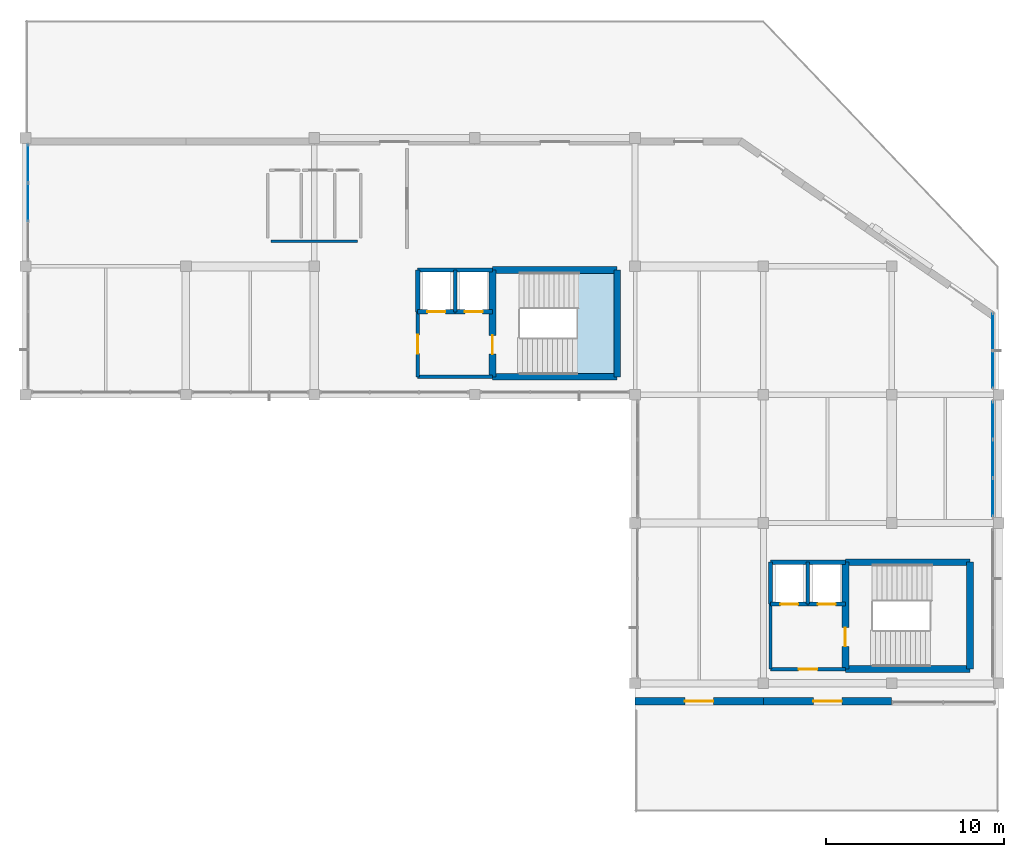
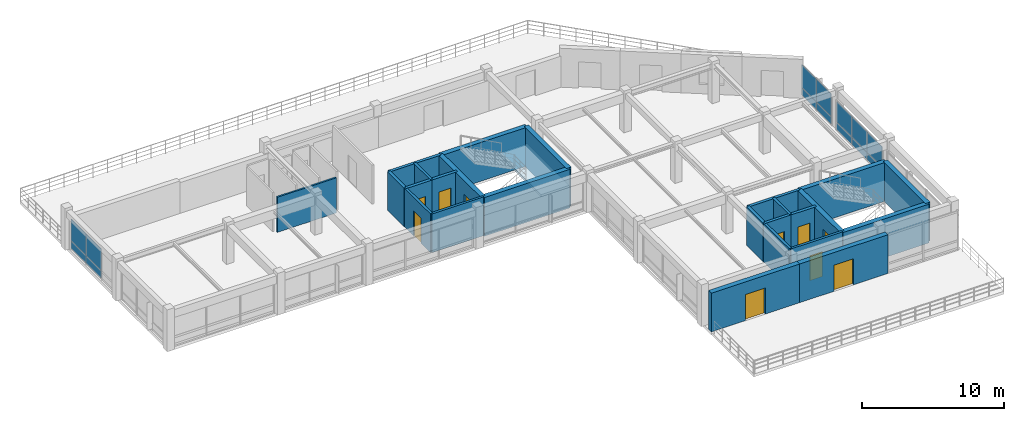
# One storey, part 8 of 12: 25 walls, 14 plates, 10 doors, 1 slab, 10 openings, 4 elements without a shape of their own.
"""IFC4 building model written with IfcOpenShell, lengths in metres."""

from ifc_helpers import new_model, si_unit, direction, frame, frame_2d, origin, place, context, subcontext, project, spatial, polyline, rectangle, outline, extrude, material, layer, layer_set, type_object, element, fill, aggregate, save


model = new_model("IFC4")

# Units and contexts
model_context = context("Model", 3, precision=1e-05, world=origin(), true_north=direction((0.0, 1.0)))
body_context = subcontext(model_context, "Body", "Model", "MODEL_VIEW")
ifc_project = project(units=[si_unit("LENGTHUNIT", "METRE"), si_unit("AREAUNIT", "SQUARE_METRE"), si_unit("VOLUMEUNIT", "CUBIC_METRE"), si_unit("PLANEANGLEUNIT", "RADIAN"), si_unit("MASSUNIT", "GRAM", prefix="KILO")], contexts=[model_context])

# Site, building, storey
site_placement = place(None, origin())
site = spatial("IfcSite", under=ifc_project, at=site_placement, CompositionType="ELEMENT")
building_placement = place(site_placement, origin())
building = spatial("IfcBuilding", under=site, at=building_placement, Name="Clarverna Civic Hall", CompositionType="ELEMENT")
storey_placement = place(building_placement, frame((0.0, 0.0, 24.0)))
storey = spatial("IfcBuildingStorey", under=building, at=storey_placement, Name="L06", CompositionType="ELEMENT", Elevation=24.0)

# Curtain wall, plates
ifc_material_1 = material(Name="Anodised Bronze Architectural Aluminium", Category="aluminium")
curtain_wall_type = type_object("IfcCurtainWallType", Name="CW-01", PredefinedType="USERDEFINED", material=ifc_material_1)
curtain_wall_1_placement = place(storey_placement, origin())
curtain_wall_1 = element("IfcCurtainWall", 1, at=curtain_wall_1_placement, inside=storey, type_object=curtain_wall_type, Name="CW-01-115", ObjectType="UNITISED CURTAIN WALL", PredefinedType="USERDEFINED")
ifc_material_2 = material(Name="Solar-Control Argon Low-E Double Glazing", Category="glass")
ifc_layer_1 = layer(ifc_material_2, 0.031982421875)
ifc_layer_set_1 = layer_set([ifc_layer_1], Name="Solar-Control Argon Low-E Double Glazing")
plate_type_1 = type_object("IfcPlateType", Name="CWP-01", PredefinedType="CURTAIN_PANEL", material=ifc_layer_set_1)
plate_1_placement = place(storey_placement, frame((113.5400390625, 104.7392578125, 0.764892578125), z_axis=(0.0, 0.0, 1.0), x_axis=(0.0, 1.0, 0.0)))
plate_1 = element("IfcPlate", 2, at=plate_1_placement, type_object=plate_type_1, Name="CWP-01-611", PredefinedType="CURTAIN_PANEL", context=body_context, shape_type="SweptSolid", body=[
    extrude(rectangle(XDim=2.121337890625, YDim=0.031982421875, at=frame_2d((1.060546875, 0.0))), origin(), (0.0, 0.0, 1.0), 1.864990234375),
])
plate_2_placement = place(storey_placement, frame((113.5400390625, 106.890625, 0.764892578125), z_axis=(0.0, 0.0, 1.0), x_axis=(0.0, 1.0, 0.0)))
plate_2 = element("IfcPlate", 3, at=plate_2_placement, type_object=plate_type_1, Name="CWP-01-612", PredefinedType="CURTAIN_PANEL", context=body_context, shape_type="SweptSolid", body=[
    extrude(rectangle(XDim=2.121337890625, YDim=0.031982421875, at=frame_2d((1.060546875, 0.0))), origin(), (0.0, 0.0, 1.0), 1.864990234375),
])

curtain_wall_2_placement = place(storey_placement, origin())
curtain_wall_2 = element("IfcCurtainWall", 4, at=curtain_wall_2_placement, inside=storey, type_object=curtain_wall_type, Name="CW-01-116", ObjectType="UNITISED CURTAIN WALL", PredefinedType="USERDEFINED")
plate_3_placement = place(storey_placement, frame((167.659912109375, 99.552001953125, 0.764892578125), z_axis=(0.0, 0.0, 1.0), x_axis=(0.0, -1.0, 0.0)))
plate_3 = element("IfcPlate", 5, at=plate_3_placement, type_object=plate_type_1, Name="CWP-01-613", PredefinedType="CURTAIN_PANEL", context=body_context, shape_type="SweptSolid", body=[
    extrude(rectangle(XDim=2.06689453125, YDim=0.031982421875, at=frame_2d((1.033447265625, 0.0))), origin(), (0.0, 0.0, 1.0), 1.965087890625),
])
plate_4_placement = place(storey_placement, frame((167.659912109375, 97.455078125, 0.764892578125), z_axis=(0.0, 0.0, 1.0), x_axis=(0.0, -1.0, 0.0)))
plate_4 = element("IfcPlate", 6, at=plate_4_placement, type_object=plate_type_1, Name="CWP-01-614", PredefinedType="CURTAIN_PANEL", context=body_context, shape_type="SweptSolid", body=[
    extrude(rectangle(XDim=2.067138671875, YDim=0.031982421875, at=frame_2d((1.03369140625, 0.0))), origin(), (0.0, 0.0, 1.0), 1.965087890625),
])

curtain_wall_3_placement = place(storey_placement, origin())
curtain_wall_3 = element("IfcCurtainWall", 7, at=curtain_wall_3_placement, inside=storey, type_object=curtain_wall_type, Name="CW-01-117", ObjectType="UNITISED CURTAIN WALL", PredefinedType="USERDEFINED")
plate_5_placement = place(storey_placement, frame((167.659912109375, 94.612060546875, 0.764892578125), z_axis=(0.0, 0.0, 1.0), x_axis=(0.0, -1.0, 0.0)))
plate_5 = element("IfcPlate", 8, at=plate_5_placement, type_object=plate_type_1, Name="CWP-01-615", PredefinedType="CURTAIN_PANEL", context=body_context, shape_type="SweptSolid", body=[
    extrude(rectangle(XDim=2.121337890625, YDim=0.031982421875, at=frame_2d((1.060546875, 0.0))), origin(), (0.0, 0.0, 1.0), 1.76513671875),
])
plate_6_placement = place(storey_placement, frame((167.659912109375, 92.460693359375, 0.764892578125), z_axis=(0.0, 0.0, 1.0), x_axis=(0.0, -1.0, 0.0)))
plate_6 = element("IfcPlate", 9, at=plate_6_placement, type_object=plate_type_1, Name="CWP-01-616", PredefinedType="CURTAIN_PANEL", context=body_context, shape_type="SweptSolid", body=[
    extrude(rectangle(XDim=2.121337890625, YDim=0.031982421875, at=frame_2d((1.060546875, 0.0))), origin(), (0.0, 0.0, 1.0), 1.76513671875),
])
plate_7_placement = place(storey_placement, frame((167.659912109375, 90.309326171875, 0.764892578125), z_axis=(0.0, 0.0, 1.0), x_axis=(0.0, -1.0, 0.0)))
plate_7 = element("IfcPlate", 10, at=plate_7_placement, type_object=plate_type_1, Name="CWP-01-617", PredefinedType="CURTAIN_PANEL", context=body_context, shape_type="SweptSolid", body=[
    extrude(rectangle(XDim=2.121337890625, YDim=0.031982421875, at=frame_2d((1.060546875, 0.0))), origin(), (0.0, 0.0, 1.0), 1.76513671875),
])

# Plate
ifc_material_3 = material(Name="Insulated Anodised Bronze Spandrel Panel", Category="aluminium")
ifc_layer_2 = layer(ifc_material_3, 0.048095703125)
ifc_layer_set_2 = layer_set([ifc_layer_2], Name="Insulated Anodised Bronze Spandrel Panel")
plate_type_2 = type_object("IfcPlateType", Name="CWP-03", PredefinedType="CURTAIN_PANEL", material=ifc_layer_set_2)
plate_8_placement = place(storey_placement, frame((113.5400390625, 104.7392578125, 0.110107421875), z_axis=(0.0, 0.0, 1.0), x_axis=(0.0, 1.0, 0.0)))
plate_8 = element("IfcPlate", 11, at=plate_8_placement, type_object=plate_type_2, Name="CWP-03-631", PredefinedType="CURTAIN_PANEL", context=body_context, shape_type="SweptSolid", body=[
    extrude(rectangle(XDim=2.121337890625, YDim=0.048095703125, at=frame_2d((1.060546875, 0.0))), origin(), (0.0, 0.0, 1.0), 0.625),
])

plate_9_placement = place(storey_placement, frame((113.5400390625, 106.890625, 0.110107421875), z_axis=(0.0, 0.0, 1.0), x_axis=(0.0, 1.0, 0.0)))
plate_9 = element("IfcPlate", 12, at=plate_9_placement, type_object=plate_type_2, Name="CWP-03-632", PredefinedType="CURTAIN_PANEL", context=body_context, shape_type="SweptSolid", body=[
    extrude(rectangle(XDim=2.121337890625, YDim=0.048095703125, at=frame_2d((1.060546875, 0.0))), origin(), (0.0, 0.0, 1.0), 0.625),
])

aggregate(curtain_wall_1, [plate_8, plate_1, plate_9, plate_2])

plate_10_placement = place(storey_placement, frame((167.659912109375, 99.552001953125, 0.110107421875), z_axis=(0.0, 0.0, 1.0), x_axis=(0.0, -1.0, 0.0)))
plate_10 = element("IfcPlate", 13, at=plate_10_placement, type_object=plate_type_2, Name="CWP-03-633", PredefinedType="CURTAIN_PANEL", context=body_context, shape_type="SweptSolid", body=[
    extrude(rectangle(XDim=2.06689453125, YDim=0.048095703125, at=frame_2d((1.033447265625, 0.0))), origin(), (0.0, 0.0, 1.0), 0.625),
])

plate_11_placement = place(storey_placement, frame((167.659912109375, 97.455078125, 0.110107421875), z_axis=(0.0, 0.0, 1.0), x_axis=(0.0, -1.0, 0.0)))
plate_11 = element("IfcPlate", 14, at=plate_11_placement, type_object=plate_type_2, Name="CWP-03-634", PredefinedType="CURTAIN_PANEL", context=body_context, shape_type="SweptSolid", body=[
    extrude(rectangle(XDim=2.067138671875, YDim=0.048095703125, at=frame_2d((1.03369140625, 0.0))), origin(), (0.0, 0.0, 1.0), 0.625),
])

aggregate(curtain_wall_2, [plate_10, plate_3, plate_11, plate_4])

plate_12_placement = place(storey_placement, frame((167.659912109375, 94.612060546875, 0.110107421875), z_axis=(0.0, 0.0, 1.0), x_axis=(0.0, -1.0, 0.0)))
plate_12 = element("IfcPlate", 15, at=plate_12_placement, type_object=plate_type_2, Name="CWP-03-635", PredefinedType="CURTAIN_PANEL", context=body_context, shape_type="SweptSolid", body=[
    extrude(rectangle(XDim=2.121337890625, YDim=0.048095703125, at=frame_2d((1.060546875, 0.0))), origin(), (0.0, 0.0, 1.0), 0.625),
])

plate_13_placement = place(storey_placement, frame((167.659912109375, 92.460693359375, 0.110107421875), z_axis=(0.0, 0.0, 1.0), x_axis=(0.0, -1.0, 0.0)))
plate_13 = element("IfcPlate", 16, at=plate_13_placement, type_object=plate_type_2, Name="CWP-03-636", PredefinedType="CURTAIN_PANEL", context=body_context, shape_type="SweptSolid", body=[
    extrude(rectangle(XDim=2.121337890625, YDim=0.048095703125, at=frame_2d((1.060546875, 0.0))), origin(), (0.0, 0.0, 1.0), 0.625),
])

plate_14_placement = place(storey_placement, frame((167.659912109375, 90.309326171875, 0.110107421875), z_axis=(0.0, 0.0, 1.0), x_axis=(0.0, -1.0, 0.0)))
plate_14 = element("IfcPlate", 17, at=plate_14_placement, type_object=plate_type_2, Name="CWP-03-637", PredefinedType="CURTAIN_PANEL", context=body_context, shape_type="SweptSolid", body=[
    extrude(rectangle(XDim=2.121337890625, YDim=0.048095703125, at=frame_2d((1.060546875, 0.0))), origin(), (0.0, 0.0, 1.0), 0.625),
])

aggregate(curtain_wall_3, [plate_12, plate_5, plate_13, plate_6, plate_14, plate_7])

# Stair, slab
ifc_material_4 = material(Name="Concrete C30/37", Category="concrete")
stair_type = type_object("IfcStairType", Name="ST-H1", PredefinedType="HALF_TURN_STAIR", material=ifc_material_4)
stair_placement = place(storey_placement, origin())
stair = element("IfcStair", 18, at=stair_placement, inside=storey, type_object=stair_type, Name="ST-H1:L06:0006", PredefinedType="HALF_TURN_STAIR")
ifc_layer_3 = layer(ifc_material_4, 0.199951171875)
ifc_layer_set_3 = layer_set([ifc_layer_3], Name="Concrete C30/37")
slab_type = type_object("IfcSlabType", Name="SL-LD1", PredefinedType="LANDING", material=ifc_layer_set_3)
slab_placement = place(storey_placement, frame((0.0, 0.0, 1.60009765625)))
slab = element("IfcSlab", 19, at=slab_placement, type_object=slab_type, Name="SL-LD1-008", PredefinedType="LANDING", context=body_context, shape_type="SweptSolid", body=[
    extrude(outline(polyline([(144.340087890625, 96.02001953125), (146.64990234375, 96.02001953125), (146.64990234375, 101.97998046875), (144.340087890625, 101.97998046875), (144.340087890625, 96.02001953125)])), origin(), (0.0, 0.0, 1.0), 0.199951171875),
])
aggregate(stair, [slab])

# Wall, opening, door
ifc_material_5 = material(Name="Montjuic Limestone Ashlar Cladding", Category="masonry")
ifc_layer_4 = layer(ifc_material_5, 0.39990234375)
ifc_layer_set_4 = layer_set([ifc_layer_4], Name="Montjuic Limestone Ashlar Cladding")
wall_type_1 = type_object("IfcWallType", Name="EW-02", PredefinedType="SOLIDWALL", material=ifc_layer_set_4)
wall_1_placement = place(storey_placement, frame((162.0, 77.800048828125, 0.0), z_axis=(0.0, 0.0, 1.0), x_axis=(-1.0, 0.0, 0.0)))
wall_1 = element("IfcWall", 20, at=wall_1_placement, inside=storey, type_object=wall_type_1, Name="EW-02-280", PredefinedType="SOLIDWALL", context=body_context, shape_type="SweptSolid", body=[
    extrude(rectangle(XDim=7.199951171875, YDim=0.39990234375, at=frame_2d((3.60009765625, 0.0))), origin(), (0.0, 0.0, 1.0), 3.340087890625),
])
opening_1_placement = place(wall_1_placement, frame((2.800048828125, 0.0, 0.0)))
opening_1 = element("IfcOpeningElement", 21, at=opening_1_placement, cuts=wall_1, Name="Opening ED-04", PredefinedType="OPENING", context=body_context, shape_type="SweptSolid", body=[
    extrude(rectangle(XDim=1.60009765625, YDim=2.25, at=frame_2d((0.800048828125, 1.125))), frame((0.0, 0.2099609375, 0.0), z_axis=(0.0, -1.0, 0.0), x_axis=(1.0, 0.0, 0.0)), (0.0, 0.0, 1.0), 0.419921875),
])
ifc_material_6 = material(Name="Anodised Bronze Glazed Door")
door_type_1 = type_object("IfcDoorType", Name="ED-04", OperationType="DOUBLE_DOOR_SINGLE_SWING", PredefinedType="DOOR", material=ifc_material_6)
door_1_placement = place(opening_1_placement, origin())
door_1 = element("IfcDoor", 22, at=door_1_placement, inside=storey, type_object=door_type_1, Name="ED-04-044", OperationType="DOUBLE_DOOR_SINGLE_SWING", OverallHeight=2.25, OverallWidth=1.60009765625, PredefinedType="DOOR", context=body_context, shape_type="SweptSolid", body=[
    extrude(rectangle(XDim=1.60009765625, YDim=2.25, at=frame_2d((0.800048828125, 1.125))), frame((0.0, 0.02490234375, 0.0), z_axis=(0.0, -1.0, 0.0), x_axis=(1.0, 0.0, 0.0)), (0.0, 0.0, 1.0), 0.050048828125),
])
fill(opening_1, door_1)

wall_2_placement = place(storey_placement, frame((154.800048828125, 77.800048828125, 0.0), z_axis=(0.0, 0.0, 1.0), x_axis=(-1.0, 0.0, 0.0)))
wall_2 = element("IfcWall", 23, at=wall_2_placement, inside=storey, type_object=wall_type_1, Name="EW-02-281", PredefinedType="SOLIDWALL", context=body_context, shape_type="SweptSolid", body=[
    extrude(rectangle(XDim=7.199951171875, YDim=0.39990234375, at=frame_2d((3.60009765625, 0.0))), origin(), (0.0, 0.0, 1.0), 3.340087890625),
])
opening_2_placement = place(wall_2_placement, frame((2.800048828125, 0.0, 0.0)))
opening_2 = element("IfcOpeningElement", 24, at=opening_2_placement, cuts=wall_2, Name="Opening ED-04", PredefinedType="OPENING", context=body_context, shape_type="SweptSolid", body=[
    extrude(rectangle(XDim=1.60009765625, YDim=2.25, at=frame_2d((0.800048828125, 1.125))), frame((0.0, 0.2099609375, 0.0), z_axis=(0.0, -1.0, 0.0), x_axis=(1.0, 0.0, 0.0)), (0.0, 0.0, 1.0), 0.419921875),
])
door_2_placement = place(opening_2_placement, origin())
door_2 = element("IfcDoor", 25, at=door_2_placement, inside=storey, type_object=door_type_1, Name="ED-04-045", OperationType="DOUBLE_DOOR_SINGLE_SWING", OverallHeight=2.25, OverallWidth=1.60009765625, PredefinedType="DOOR", context=body_context, shape_type="SweptSolid", body=[
    extrude(rectangle(XDim=1.60009765625, YDim=2.25, at=frame_2d((0.800048828125, 1.125))), frame((0.0, 0.02490234375, 0.0), z_axis=(0.0, -1.0, 0.0), x_axis=(1.0, 0.0, 0.0)), (0.0, 0.0, 1.0), 0.050048828125),
])
fill(opening_2, door_2)

# Wall
ifc_material_7 = material(Name="Ceramic Brick and Plaster Wet-Room Partition", Category="masonry")
ifc_layer_5 = layer(ifc_material_7, 0.139892578125)
ifc_layer_set_5 = layer_set([ifc_layer_5], Name="Ceramic Brick and Plaster Wet-Room Partition")
wall_type_2 = type_object("IfcWallType", Name="PW-02", PredefinedType="PARTITIONING", material=ifc_layer_set_5)
wall_3_placement = place(storey_placement, frame((127.179931640625, 103.60009765625, 0.0), z_axis=(0.0, 0.0, 1.0), x_axis=(1.0, 0.0, 0.0)))
element("IfcWall", 26, at=wall_3_placement, inside=storey, type_object=wall_type_2, Name="PW-02-057", PredefinedType="PARTITIONING", context=body_context, shape_type="SweptSolid", body=[
    extrude(rectangle(XDim=4.840087890625, YDim=0.139892578125, at=frame_2d((2.419921875, 0.0))), origin(), (0.0, 0.0, 1.0), 3.030029296875),
])

# Wall, opening, door
ifc_material_8 = material(Name="Acoustic Gypsum Plasterboard on Twin Frame", Category="gypsum")
ifc_layer_6 = layer(ifc_material_8, 0.18994140625)
ifc_layer_set_6 = layer_set([ifc_layer_6], Name="Acoustic Gypsum Plasterboard on Twin Frame")
wall_type_3 = type_object("IfcWallType", Name="PW-06", PredefinedType="PARTITIONING", material=ifc_layer_set_6)
wall_4_placement = place(storey_placement, frame((135.39990234375, 96.0, 0.0), z_axis=(0.0, 0.0, 1.0), x_axis=(0.0, 1.0, 0.0)))
wall_4 = element("IfcWall", 27, at=wall_4_placement, inside=storey, type_object=wall_type_3, Name="PW-06-015", PredefinedType="PARTITIONING", context=body_context, shape_type="SweptSolid", body=[
    extrude(rectangle(XDim=3.64990234375, YDim=0.18994140625, at=frame_2d((1.824951171875, 0.0))), origin(), (0.0, 0.0, 1.0), 3.340087890625),
])
opening_3_placement = place(wall_4_placement, frame((1.300048828125, 0.0, 0.0)))
opening_3 = element("IfcOpeningElement", 28, at=opening_3_placement, cuts=wall_4, Name="Opening FD-02", PredefinedType="OPENING", context=body_context, shape_type="SweptSolid", body=[
    extrude(rectangle(XDim=1.050048828125, YDim=2.14990234375, at=frame_2d((0.52490234375, 1.074951171875))), frame((0.0, 0.10498046875, 0.0), z_axis=(0.0, -1.0, 0.0), x_axis=(1.0, 0.0, 0.0)), (0.0, 0.0, 1.0), 0.2099609375),
])
ifc_material_9 = material(Name="Acoustic Timber-Faced Fire Door", Category="wood")
door_type_2 = type_object("IfcDoorType", Name="FD-02", OperationType="NOTDEFINED", PredefinedType="DOOR", material=ifc_material_9)
door_3_placement = place(opening_3_placement, origin())
door_3 = element("IfcDoor", 29, at=door_3_placement, inside=storey, type_object=door_type_2, Name="FD-02-015", OperationType="SINGLE_SWING_RIGHT", OverallHeight=2.14990234375, OverallWidth=1.050048828125, PredefinedType="DOOR", context=body_context, shape_type="SweptSolid", body=[
    extrude(rectangle(XDim=1.050048828125, YDim=2.14990234375, at=frame_2d((0.52490234375, 1.074951171875))), frame((0.0, 0.02490234375, 0.0), z_axis=(0.0, -1.0, 0.0), x_axis=(1.0, 0.0, 0.0)), (0.0, 0.0, 1.0), 0.050048828125),
])
fill(opening_3, door_3)

# Walls
wall_5_placement = place(storey_placement, frame((135.39990234375, 96.0, 0.0), z_axis=(0.0, 0.0, 1.0), x_axis=(1.0, 0.0, 0.0)))
element("IfcWall", 30, at=wall_5_placement, inside=storey, type_object=wall_type_3, Name="PW-06-016", PredefinedType="PARTITIONING", context=body_context, shape_type="SweptSolid", body=[
    extrude(rectangle(XDim=4.2001953125, YDim=0.18994140625, at=frame_2d((2.10009765625, 0.0))), origin(), (0.0, 0.0, 1.0), 3.340087890625),
])
wall_6_placement = place(storey_placement, frame((155.199951171875, 79.60009765625, 0.0), z_axis=(0.0, 0.0, 1.0), x_axis=(0.0, 1.0, 0.0)))
element("IfcWall", 31, at=wall_6_placement, inside=storey, type_object=wall_type_3, Name="PW-06-033", PredefinedType="PARTITIONING", context=body_context, shape_type="SweptSolid", body=[
    extrude(rectangle(XDim=3.64990234375, YDim=0.18994140625, at=frame_2d((1.824951171875, 0.0))), origin(), (0.0, 0.0, 1.0), 3.340087890625),
])

# Wall, opening, door
wall_7_placement = place(storey_placement, frame((155.199951171875, 79.60009765625, 0.0), z_axis=(0.0, 0.0, 1.0), x_axis=(1.0, 0.0, 0.0)))
wall_7 = element("IfcWall", 32, at=wall_7_placement, inside=storey, type_object=wall_type_3, Name="PW-06-034", PredefinedType="PARTITIONING", context=body_context, shape_type="SweptSolid", body=[
    extrude(rectangle(XDim=4.199951171875, YDim=0.18994140625, at=frame_2d((2.10009765625, 0.0))), origin(), (0.0, 0.0, 1.0), 3.340087890625),
])
opening_4_placement = place(wall_7_placement, frame((1.574951171875, 0.0, 0.0)))
opening_4 = element("IfcOpeningElement", 33, at=opening_4_placement, cuts=wall_7, Name="Opening FD-02", PredefinedType="OPENING", context=body_context, shape_type="SweptSolid", body=[
    extrude(rectangle(XDim=1.050048828125, YDim=2.14990234375, at=frame_2d((0.52490234375, 1.074951171875))), frame((0.0, 0.10498046875, 0.0), z_axis=(0.0, -1.0, 0.0), x_axis=(1.0, 0.0, 0.0)), (0.0, 0.0, 1.0), 0.2099609375),
])
door_4_placement = place(opening_4_placement, origin())
door_4 = element("IfcDoor", 34, at=door_4_placement, inside=storey, type_object=door_type_2, Name="FD-02-032", OperationType="SINGLE_SWING_RIGHT", OverallHeight=2.14990234375, OverallWidth=1.050048828125, PredefinedType="DOOR", context=body_context, shape_type="SweptSolid", body=[
    extrude(rectangle(XDim=1.050048828125, YDim=2.14990234375, at=frame_2d((0.52490234375, 1.074951171875))), frame((0.0, 0.02490234375, 0.0), z_axis=(0.0, -1.0, 0.0), x_axis=(1.0, 0.0, 0.0)), (0.0, 0.0, 1.0), 0.050048828125),
])
fill(opening_4, door_4)

ifc_material_10 = material(Name="Concrete C35/45", Category="concrete")
ifc_layer_7 = layer(ifc_material_10, 0.3798828125)
ifc_layer_set_7 = layer_set([ifc_layer_7], Name="Concrete C35/45")
wall_type_4 = type_object("IfcWallType", Name="SW-01", PredefinedType="SHEAR", material=ifc_layer_set_7)
wall_8_placement = place(storey_placement, frame((139.60009765625, 96.0, 0.0), z_axis=(0.0, 0.0, 1.0), x_axis=(0.0, 1.0, 0.0)))
wall_8 = element("IfcWall", 35, at=wall_8_placement, inside=storey, type_object=wall_type_4, Name="SW-01-064", PredefinedType="SHEAR", context=body_context, shape_type="SweptSolid", body=[
    extrude(rectangle(XDim=6.0, YDim=0.3798828125, at=frame_2d((3.0, 0.0))), origin(), (0.0, 0.0, 1.0), 3.340087890625),
])
opening_5_placement = place(wall_8_placement, frame((1.27490234375, 0.0, 0.0)))
opening_5 = element("IfcOpeningElement", 36, at=opening_5_placement, cuts=wall_8, Name="Opening FD-02", PredefinedType="OPENING", context=body_context, shape_type="SweptSolid", body=[
    extrude(rectangle(XDim=1.050048828125, YDim=2.14990234375, at=frame_2d((0.52490234375, 1.074951171875))), frame((0.0, 0.199951171875, 0.0), z_axis=(0.0, -1.0, 0.0), x_axis=(1.0, 0.0, 0.0)), (0.0, 0.0, 1.0), 0.39990234375),
])
door_5_placement = place(opening_5_placement, origin())
door_5 = element("IfcDoor", 37, at=door_5_placement, inside=storey, type_object=door_type_2, Name="FD-02-014", OperationType="SINGLE_SWING_LEFT", OverallHeight=2.14990234375, OverallWidth=1.050048828125, PredefinedType="DOOR", context=body_context, shape_type="SweptSolid", body=[
    extrude(rectangle(XDim=1.050048828125, YDim=2.14990234375, at=frame_2d((0.52490234375, 1.074951171875))), frame((0.0, 0.02490234375, 0.0), z_axis=(0.0, -1.0, 0.0), x_axis=(1.0, 0.0, 0.0)), (0.0, 0.0, 1.0), 0.050048828125),
])
fill(opening_5, door_5)

# Walls
wall_9_placement = place(storey_placement, frame((146.60009765625, 96.0, 0.0), z_axis=(0.0, 0.0, 1.0), x_axis=(0.0, 1.0, 0.0)))
element("IfcWall", 38, at=wall_9_placement, inside=storey, type_object=wall_type_4, Name="SW-01-065", PredefinedType="SHEAR", context=body_context, shape_type="SweptSolid", body=[
    extrude(rectangle(XDim=6.0, YDim=0.3798828125, at=frame_2d((3.0, 0.0))), origin(), (0.0, 0.0, 1.0), 3.340087890625),
])
for number, where, z_axis, x_axis, name in (
    (39, (139.60009765625, 96.0, 0.0), (0.0, 0.0, 1.0), (1.0, 0.0, 0.0), "SW-01-066"),
    (40, (139.60009765625, 102.0, 0.0), (0.0, 0.0, 1.0), (1.0, 0.0, 0.0), "SW-01-067"),
):
    element("IfcWall", number, at=place(storey_placement, frame(where, z_axis=z_axis, x_axis=x_axis)), inside=storey, type_object=wall_type_4, Name=name, PredefinedType="SHEAR", context=body_context, shape_type="SweptSolid", body=[
        extrude(rectangle(XDim=7.0, YDim=0.3798828125, at=frame_2d((3.5, 0.0))), origin(), (0.0, 0.0, 1.0), 3.340087890625),
    ])
wall_10_placement = place(storey_placement, frame((135.39990234375, 102.0, 0.0), z_axis=(0.0, 0.0, 1.0), x_axis=(1.0, 0.0, 0.0)))
element("IfcWall", 41, at=wall_10_placement, inside=storey, type_object=wall_type_4, Name="SW-01-068", PredefinedType="SHEAR", context=body_context, shape_type="SweptSolid", body=[
    extrude(rectangle(XDim=4.2001953125, YDim=0.239990234375, at=frame_2d((2.10009765625, 0.0))), origin(), (0.0, 0.0, 1.0), 3.340087890625),
])
wall_11_placement = place(storey_placement, frame((135.39990234375, 99.64990234375, 0.0), z_axis=(0.0, 0.0, 1.0), x_axis=(0.0, 1.0, 0.0)))
element("IfcWall", 42, at=wall_11_placement, inside=storey, type_object=wall_type_4, Name="SW-01-069", PredefinedType="SHEAR", context=body_context, shape_type="SweptSolid", body=[
    extrude(rectangle(XDim=2.35009765625, YDim=0.239990234375, at=frame_2d((1.175048828125, 0.0))), origin(), (0.0, 0.0, 1.0), 3.340087890625),
])
wall_12_placement = place(storey_placement, frame((137.5, 99.64990234375, 0.0), z_axis=(0.0, 0.0, 1.0), x_axis=(0.0, 1.0, 0.0)))
element("IfcWall", 43, at=wall_12_placement, inside=storey, type_object=wall_type_4, Name="SW-01-070", PredefinedType="SHEAR", context=body_context, shape_type="SweptSolid", body=[
    extrude(rectangle(XDim=2.35009765625, YDim=0.199951171875, at=frame_2d((1.175048828125, 0.0))), origin(), (0.0, 0.0, 1.0), 3.340087890625),
])

# Wall, opening, door
wall_13_placement = place(storey_placement, frame((135.39990234375, 99.64990234375, 0.0), z_axis=(0.0, 0.0, 1.0), x_axis=(1.0, 0.0, 0.0)))
wall_13 = element("IfcWall", 44, at=wall_13_placement, inside=storey, type_object=wall_type_4, Name="SW-01-071", PredefinedType="SHEAR", context=body_context, shape_type="SweptSolid", body=[
    extrude(rectangle(XDim=2.10009765625, YDim=0.239990234375, at=frame_2d((1.050048828125, 0.0))), origin(), (0.0, 0.0, 1.0), 3.340087890625),
])
opening_6_placement = place(wall_13_placement, frame((0.550048828125, 0.0, 0.0)))
opening_6 = element("IfcOpeningElement", 45, at=opening_6_placement, cuts=wall_13, Name="Opening LD-01", PredefinedType="OPENING", context=body_context, shape_type="SweptSolid", body=[
    extrude(rectangle(XDim=1.0, YDim=2.10009765625, at=frame_2d((0.5, 1.050048828125))), frame((0.0, 0.1298828125, 0.0), z_axis=(0.0, -1.0, 0.0), x_axis=(1.0, 0.0, 0.0)), (0.0, 0.0, 1.0), 0.260009765625),
])
ifc_material_11 = material(Name="Brushed Bronze Stainless Lift Landing Door")
door_type_3 = type_object("IfcDoorType", Name="LD-01", OperationType="SLIDING_TO_LEFT", PredefinedType="DOOR", material=ifc_material_11)
door_6_placement = place(opening_6_placement, origin())
door_6 = element("IfcDoor", 46, at=door_6_placement, inside=storey, type_object=door_type_3, Name="LD-01-015", OperationType="SLIDING_TO_LEFT", OverallHeight=2.10009765625, OverallWidth=1.0, PredefinedType="DOOR", context=body_context, shape_type="SweptSolid", body=[
    extrude(rectangle(XDim=1.0, YDim=2.10009765625, at=frame_2d((0.5, 1.050048828125))), frame((0.0, 0.02490234375, 0.0), z_axis=(0.0, -1.0, 0.0), x_axis=(1.0, 0.0, 0.0)), (0.0, 0.0, 1.0), 0.050048828125),
])
fill(opening_6, door_6)

wall_14_placement = place(storey_placement, frame((137.5, 99.64990234375, 0.0), z_axis=(0.0, 0.0, 1.0), x_axis=(1.0, 0.0, 0.0)))
wall_14 = element("IfcWall", 47, at=wall_14_placement, inside=storey, type_object=wall_type_4, Name="SW-01-072", PredefinedType="SHEAR", context=body_context, shape_type="SweptSolid", body=[
    extrude(rectangle(XDim=2.10009765625, YDim=0.239990234375, at=frame_2d((1.050048828125, 0.0))), origin(), (0.0, 0.0, 1.0), 3.340087890625),
])
opening_7_placement = place(wall_14_placement, frame((0.550048828125, 0.0, 0.0)))
opening_7 = element("IfcOpeningElement", 48, at=opening_7_placement, cuts=wall_14, Name="Opening LD-01", PredefinedType="OPENING", context=body_context, shape_type="SweptSolid", body=[
    extrude(rectangle(XDim=1.0, YDim=2.10009765625, at=frame_2d((0.5, 1.050048828125))), frame((0.0, 0.1298828125, 0.0), z_axis=(0.0, -1.0, 0.0), x_axis=(1.0, 0.0, 0.0)), (0.0, 0.0, 1.0), 0.260009765625),
])
door_7_placement = place(opening_7_placement, origin())
door_7 = element("IfcDoor", 49, at=door_7_placement, inside=storey, type_object=door_type_3, Name="LD-01-016", OperationType="SLIDING_TO_LEFT", OverallHeight=2.10009765625, OverallWidth=1.0, PredefinedType="DOOR", context=body_context, shape_type="SweptSolid", body=[
    extrude(rectangle(XDim=1.0, YDim=2.10009765625, at=frame_2d((0.5, 1.050048828125))), frame((0.0, 0.02490234375, 0.0), z_axis=(0.0, -1.0, 0.0), x_axis=(1.0, 0.0, 0.0)), (0.0, 0.0, 1.0), 0.050048828125),
])
fill(opening_7, door_7)

wall_15_placement = place(storey_placement, frame((159.39990234375, 79.60009765625, 0.0), z_axis=(0.0, 0.0, 1.0), x_axis=(0.0, 1.0, 0.0)))
wall_15 = element("IfcWall", 50, at=wall_15_placement, inside=storey, type_object=wall_type_4, Name="SW-01-145", PredefinedType="SHEAR", context=body_context, shape_type="SweptSolid", body=[
    extrude(rectangle(XDim=6.0, YDim=0.3798828125, at=frame_2d((3.0, 0.0))), origin(), (0.0, 0.0, 1.0), 3.340087890625),
])
opening_8_placement = place(wall_15_placement, frame((1.27490234375, 0.0, 0.0)))
opening_8 = element("IfcOpeningElement", 51, at=opening_8_placement, cuts=wall_15, Name="Opening FD-02", PredefinedType="OPENING", context=body_context, shape_type="SweptSolid", body=[
    extrude(rectangle(XDim=1.050048828125, YDim=2.14990234375, at=frame_2d((0.52490234375, 1.074951171875))), frame((0.0, 0.199951171875, 0.0), z_axis=(0.0, -1.0, 0.0), x_axis=(1.0, 0.0, 0.0)), (0.0, 0.0, 1.0), 0.39990234375),
])
door_8_placement = place(opening_8_placement, origin())
door_8 = element("IfcDoor", 52, at=door_8_placement, inside=storey, type_object=door_type_2, Name="FD-02-031", OperationType="SINGLE_SWING_LEFT", OverallHeight=2.14990234375, OverallWidth=1.050048828125, PredefinedType="DOOR", context=body_context, shape_type="SweptSolid", body=[
    extrude(rectangle(XDim=1.050048828125, YDim=2.14990234375, at=frame_2d((0.52490234375, 1.074951171875))), frame((0.0, 0.02490234375, 0.0), z_axis=(0.0, -1.0, 0.0), x_axis=(1.0, 0.0, 0.0)), (0.0, 0.0, 1.0), 0.050048828125),
])
fill(opening_8, door_8)

# Walls
wall_16_placement = place(storey_placement, frame((166.39990234375, 79.60009765625, 0.0), z_axis=(0.0, 0.0, 1.0), x_axis=(0.0, 1.0, 0.0)))
element("IfcWall", 53, at=wall_16_placement, inside=storey, type_object=wall_type_4, Name="SW-01-146", PredefinedType="SHEAR", context=body_context, shape_type="SweptSolid", body=[
    extrude(rectangle(XDim=6.0, YDim=0.3798828125, at=frame_2d((3.0, 0.0))), origin(), (0.0, 0.0, 1.0), 3.340087890625),
])
for number, where, z_axis, x_axis, name in (
    (54, (159.39990234375, 79.60009765625, 0.0), (0.0, 0.0, 1.0), (1.0, 0.0, 0.0), "SW-01-147"),
    (55, (159.39990234375, 85.60009765625, 0.0), (0.0, 0.0, 1.0), (1.0, 0.0, 0.0), "SW-01-148"),
):
    element("IfcWall", number, at=place(storey_placement, frame(where, z_axis=z_axis, x_axis=x_axis)), inside=storey, type_object=wall_type_4, Name=name, PredefinedType="SHEAR", context=body_context, shape_type="SweptSolid", body=[
        extrude(rectangle(XDim=7.0, YDim=0.3798828125, at=frame_2d((3.5, 0.0))), origin(), (0.0, 0.0, 1.0), 3.340087890625),
    ])
wall_17_placement = place(storey_placement, frame((155.199951171875, 85.60009765625, 0.0), z_axis=(0.0, 0.0, 1.0), x_axis=(1.0, 0.0, 0.0)))
element("IfcWall", 56, at=wall_17_placement, inside=storey, type_object=wall_type_4, Name="SW-01-149", PredefinedType="SHEAR", context=body_context, shape_type="SweptSolid", body=[
    extrude(rectangle(XDim=4.199951171875, YDim=0.239990234375, at=frame_2d((2.10009765625, 0.0))), origin(), (0.0, 0.0, 1.0), 3.340087890625),
])
wall_18_placement = place(storey_placement, frame((155.199951171875, 83.25, 0.0), z_axis=(0.0, 0.0, 1.0), x_axis=(0.0, 1.0, 0.0)))
element("IfcWall", 57, at=wall_18_placement, inside=storey, type_object=wall_type_4, Name="SW-01-150", PredefinedType="SHEAR", context=body_context, shape_type="SweptSolid", body=[
    extrude(rectangle(XDim=2.35009765625, YDim=0.239990234375, at=frame_2d((1.175048828125, 0.0))), origin(), (0.0, 0.0, 1.0), 3.340087890625),
])
wall_19_placement = place(storey_placement, frame((157.300048828125, 83.25, 0.0), z_axis=(0.0, 0.0, 1.0), x_axis=(0.0, 1.0, 0.0)))
element("IfcWall", 58, at=wall_19_placement, inside=storey, type_object=wall_type_4, Name="SW-01-151", PredefinedType="SHEAR", context=body_context, shape_type="SweptSolid", body=[
    extrude(rectangle(XDim=2.35009765625, YDim=0.199951171875, at=frame_2d((1.175048828125, 0.0))), origin(), (0.0, 0.0, 1.0), 3.340087890625),
])

# Wall, opening, door
wall_20_placement = place(storey_placement, frame((155.199951171875, 83.25, 0.0), z_axis=(0.0, 0.0, 1.0), x_axis=(1.0, 0.0, 0.0)))
wall_20 = element("IfcWall", 59, at=wall_20_placement, inside=storey, type_object=wall_type_4, Name="SW-01-152", PredefinedType="SHEAR", context=body_context, shape_type="SweptSolid", body=[
    extrude(rectangle(XDim=2.10009765625, YDim=0.239990234375, at=frame_2d((1.050048828125, 0.0))), origin(), (0.0, 0.0, 1.0), 3.340087890625),
])
opening_9_placement = place(wall_20_placement, frame((0.550048828125, 0.0, 0.0)))
opening_9 = element("IfcOpeningElement", 60, at=opening_9_placement, cuts=wall_20, Name="Opening LD-01", PredefinedType="OPENING", context=body_context, shape_type="SweptSolid", body=[
    extrude(rectangle(XDim=1.0, YDim=2.10009765625, at=frame_2d((0.5, 1.050048828125))), frame((0.0, 0.1298828125, 0.0), z_axis=(0.0, -1.0, 0.0), x_axis=(1.0, 0.0, 0.0)), (0.0, 0.0, 1.0), 0.260009765625),
])
door_9_placement = place(opening_9_placement, origin())
door_9 = element("IfcDoor", 61, at=door_9_placement, inside=storey, type_object=door_type_3, Name="LD-01-033", OperationType="SLIDING_TO_LEFT", OverallHeight=2.10009765625, OverallWidth=1.0, PredefinedType="DOOR", context=body_context, shape_type="SweptSolid", body=[
    extrude(rectangle(XDim=1.0, YDim=2.10009765625, at=frame_2d((0.5, 1.050048828125))), frame((0.0, 0.02490234375, 0.0), z_axis=(0.0, -1.0, 0.0), x_axis=(1.0, 0.0, 0.0)), (0.0, 0.0, 1.0), 0.050048828125),
])
fill(opening_9, door_9)

wall_21_placement = place(storey_placement, frame((157.300048828125, 83.25, 0.0), z_axis=(0.0, 0.0, 1.0), x_axis=(1.0, 0.0, 0.0)))
wall_21 = element("IfcWall", 62, at=wall_21_placement, inside=storey, type_object=wall_type_4, Name="SW-01-153", PredefinedType="SHEAR", context=body_context, shape_type="SweptSolid", body=[
    extrude(rectangle(XDim=2.099853515625, YDim=0.239990234375, at=frame_2d((1.0498046875, 0.0))), origin(), (0.0, 0.0, 1.0), 3.340087890625),
])
opening_10_placement = place(wall_21_placement, frame((0.550048828125, 0.0, 0.0)))
opening_10 = element("IfcOpeningElement", 63, at=opening_10_placement, cuts=wall_21, Name="Opening LD-01", PredefinedType="OPENING", context=body_context, shape_type="SweptSolid", body=[
    extrude(rectangle(XDim=1.0, YDim=2.10009765625, at=frame_2d((0.5, 1.050048828125))), frame((0.0, 0.1298828125, 0.0), z_axis=(0.0, -1.0, 0.0), x_axis=(1.0, 0.0, 0.0)), (0.0, 0.0, 1.0), 0.260009765625),
])
door_10_placement = place(opening_10_placement, origin())
door_10 = element("IfcDoor", 64, at=door_10_placement, inside=storey, type_object=door_type_3, Name="LD-01-034", OperationType="SLIDING_TO_LEFT", OverallHeight=2.10009765625, OverallWidth=1.0, PredefinedType="DOOR", context=body_context, shape_type="SweptSolid", body=[
    extrude(rectangle(XDim=1.0, YDim=2.10009765625, at=frame_2d((0.5, 1.050048828125))), frame((0.0, 0.02490234375, 0.0), z_axis=(0.0, -1.0, 0.0), x_axis=(1.0, 0.0, 0.0)), (0.0, 0.0, 1.0), 0.050048828125),
])
fill(opening_10, door_10)

save(model, "model.ifc")
